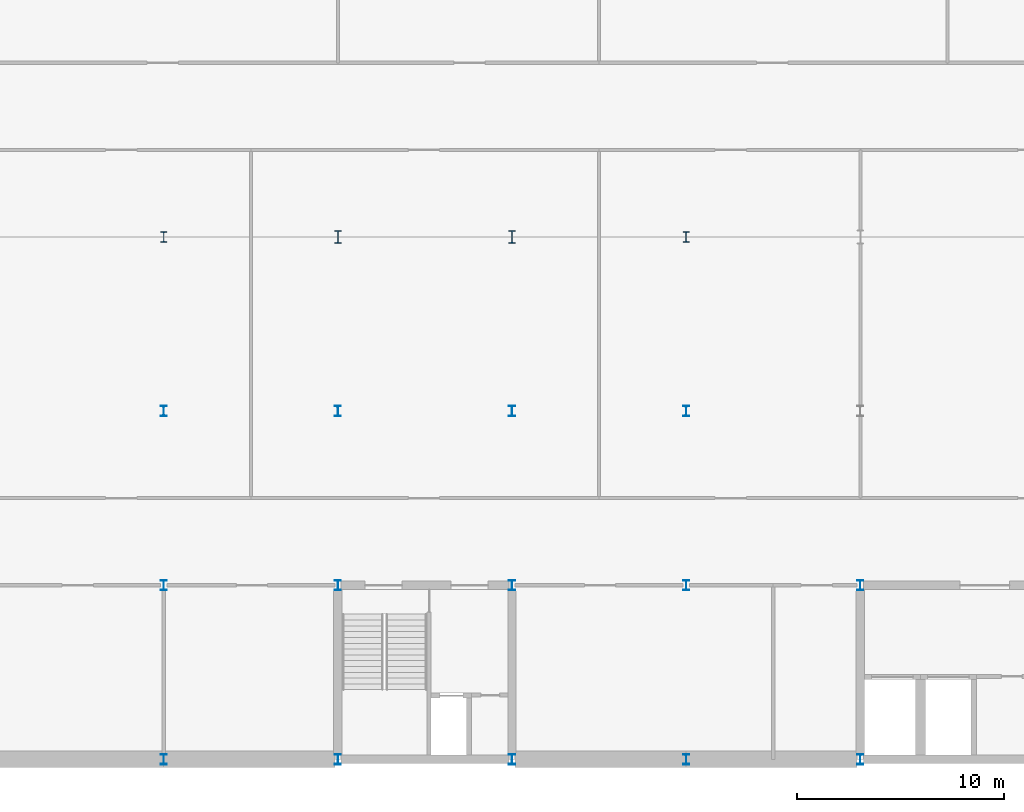
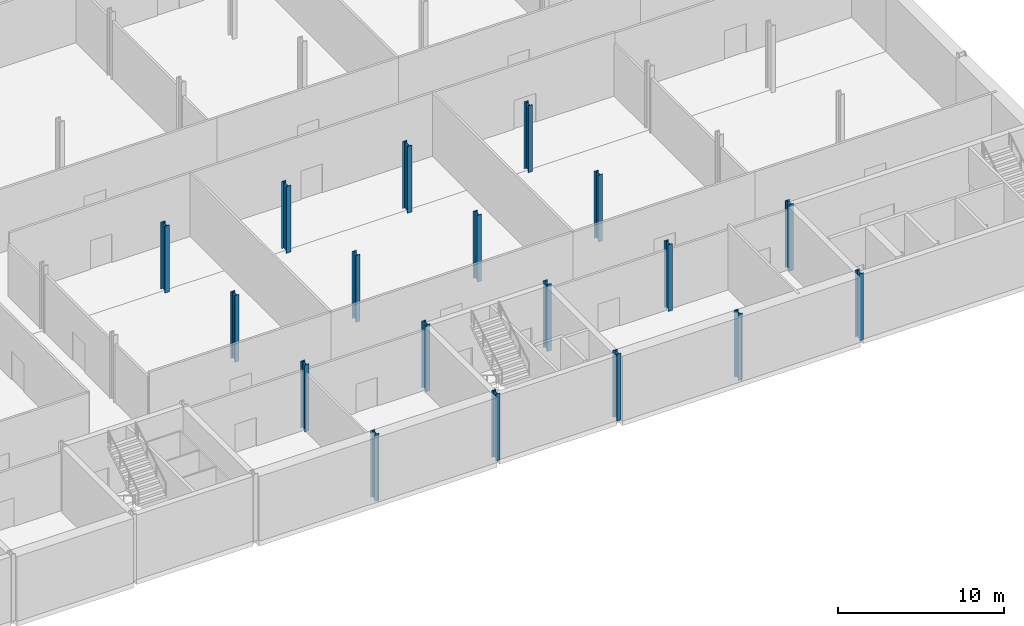
# One storey, part 5 of 20: 18 columns.
"""IFC4 building model written with IfcOpenShell, lengths in metres."""

from ifc_helpers import new_model, si_unit, direction, frame, origin, origin_2d, place, context, subcontext, project, spatial, i_section, extrude, material, material_profile, profile_set, type_object, element, save


model = new_model("IFC4")

# Units and contexts
model_context = context("Model", 3, precision=1e-05, world=origin(), true_north=direction((0.0, 1.0)))
body_context = subcontext(model_context, "Body", "Model", "MODEL_VIEW")
ifc_project = project(units=[si_unit("LENGTHUNIT", "METRE"), si_unit("AREAUNIT", "SQUARE_METRE"), si_unit("VOLUMEUNIT", "CUBIC_METRE"), si_unit("PLANEANGLEUNIT", "RADIAN"), si_unit("MASSUNIT", "GRAM", prefix="KILO")], contexts=[model_context])

# Site, building, storey
site_placement = place(None, origin())
site = spatial("IfcSite", under=ifc_project, at=site_placement, CompositionType="ELEMENT")
building_placement = place(site_placement, origin())
building = spatial("IfcBuilding", under=site, at=building_placement, Name="Galleria Vessillo Department Store", CompositionType="ELEMENT")
storey_placement = place(building_placement, frame((0.0, 0.0, -4.89990234375)))
storey = spatial("IfcBuildingStorey", under=building, at=storey_placement, Name="B1", CompositionType="ELEMENT", Elevation=-4.89990234375)

# Columns
ifc_material_1 = material(Name="Steel S355 J2", Category="steel")
ifc_material_profile_1 = material_profile(ifc_material_1, i_section(OverallWidth=0.300048828125, OverallDepth=0.5, WebThickness=0.014404296875, FlangeThickness=0.028076171875, FilletRadius=0.027099609375, at=origin_2d()), Name="HEB 500")
ifc_profile_set_1 = profile_set([ifc_material_profile_1], Name="Steel S355 J2")
column_type_1 = type_object("IfcColumnType", Name="Steel column HEB 500 CP1", PredefinedType="COLUMN", material=ifc_profile_set_1)
for number, where, z_axis, x_axis, name in (
    (1, (67.199951171875, 0.0, 0.0), (0.0, 0.0, 1.0), (1.0, 0.0, 0.0), "S-COL-B1-9-A"),
    (2, (67.199951171875, 8.39990234375, 0.0), (0.0, 0.0, 1.0), (1.0, 0.0, 0.0), "S-COL-B1-9-B"),
    (3, (67.199951171875, 16.800048828125, 0.0), (0.0, 0.0, 1.0), (1.0, 0.0, 0.0), "S-COL-B1-9-C"),
    (4, (75.60009765625, 0.0, 0.0), (0.0, 0.0, 1.0), (1.0, 0.0, 0.0), "S-COL-B1-10-A"),
    (5, (75.60009765625, 8.39990234375, 0.0), (0.0, 0.0, 1.0), (1.0, 0.0, 0.0), "S-COL-B1-10-B"),
    (6, (75.60009765625, 16.800048828125, 0.0), (0.0, 0.0, 1.0), (1.0, 0.0, 0.0), "S-COL-B1-10-C"),
    (7, (84.0, 0.0, 0.0), (0.0, 0.0, 1.0), (1.0, 0.0, 0.0), "S-COL-B1-11-A"),
    (8, (84.0, 8.39990234375, 0.0), (0.0, 0.0, 1.0), (1.0, 0.0, 0.0), "S-COL-B1-11-B"),
    (9, (84.0, 16.800048828125, 0.0), (0.0, 0.0, 1.0), (1.0, 0.0, 0.0), "S-COL-B1-11-C"),
    (10, (92.39990234375, 0.0, 0.0), (0.0, 0.0, 1.0), (1.0, 0.0, 0.0), "S-COL-B1-12-A"),
    (11, (92.39990234375, 8.39990234375, 0.0), (0.0, 0.0, 1.0), (1.0, 0.0, 0.0), "S-COL-B1-12-B"),
    (12, (92.39990234375, 16.800048828125, 0.0), (0.0, 0.0, 1.0), (1.0, 0.0, 0.0), "S-COL-B1-12-C"),
    (13, (100.800048828125, 0.0, 0.0), (0.0, 0.0, 1.0), (1.0, 0.0, 0.0), "S-COL-B1-13-A"),
    (14, (100.800048828125, 8.39990234375, 0.0), (0.0, 0.0, 1.0), (1.0, 0.0, 0.0), "S-COL-B1-13-B"),
):
    element("IfcColumn", number, at=place(storey_placement, frame(where, z_axis=z_axis, x_axis=x_axis)), inside=storey, type_object=column_type_1, Name=name, PredefinedType="COLUMN", context=body_context, shape_type="SweptSolid", body=[
        extrude(i_section(OverallWidth=0.300048828125, OverallDepth=0.5, WebThickness=0.014404296875, FlangeThickness=0.028076171875, FilletRadius=0.027099609375, at=origin_2d()), origin(), (0.0, 0.0, 1.0), 4.89990234375),
    ])
ifc_material_2 = material(Name="Steel S355 J2", Category="steel")
ifc_material_profile_2 = material_profile(ifc_material_2, i_section(OverallWidth=0.305908203125, OverallDepth=0.52392578125, WebThickness=0.02099609375, FlangeThickness=0.0400390625, FilletRadius=0.027099609375, at=origin_2d()), Name="HEM 500")
ifc_profile_set_2 = profile_set([ifc_material_profile_2], Name="Steel S355 J2")
column_type_2 = type_object("IfcColumnType", Name="Steel column HEM 500 CV1", PredefinedType="COLUMN", material=ifc_profile_set_2)
for number, where, z_axis, x_axis, name in (
    (15, (67.199951171875, 25.199951171875, 0.0), (0.0, 0.0, 1.0), (1.0, 0.0, 0.0), "S-COL-B1-9-D"),
    (16, (92.39990234375, 25.199951171875, 0.0), (0.0, 0.0, 1.0), (1.0, 0.0, 0.0), "S-COL-B1-12-D"),
):
    element("IfcColumn", number, at=place(storey_placement, frame(where, z_axis=z_axis, x_axis=x_axis)), inside=storey, type_object=column_type_2, Name=name, PredefinedType="COLUMN", context=body_context, shape_type="SweptSolid", body=[
        extrude(i_section(OverallWidth=0.305908203125, OverallDepth=0.52392578125, WebThickness=0.02099609375, FlangeThickness=0.0400390625, FilletRadius=0.027099609375, at=origin_2d()), origin(), (0.0, 0.0, 1.0), 4.89990234375),
    ])
ifc_material_3 = material(Name="Steel S355 J2", Category="steel")
ifc_material_profile_3 = material_profile(ifc_material_3, i_section(OverallWidth=0.304931640625, OverallDepth=0.6201171875, WebThickness=0.02099609375, FlangeThickness=0.0400390625, FilletRadius=0.027099609375, at=origin_2d()), Name="HEM 600")
ifc_profile_set_3 = profile_set([ifc_material_profile_3], Name="Steel S355 J2")
column_type_3 = type_object("IfcColumnType", Name="Steel column HEM 600 CV2", PredefinedType="COLUMN", material=ifc_profile_set_3)
for number, where, z_axis, x_axis, name in (
    (17, (75.60009765625, 25.199951171875, 0.0), (0.0, 0.0, 1.0), (1.0, 0.0, 0.0), "S-COL-B1-10-D"),
    (18, (84.0, 25.199951171875, 0.0), (0.0, 0.0, 1.0), (1.0, 0.0, 0.0), "S-COL-B1-11-D"),
):
    element("IfcColumn", number, at=place(storey_placement, frame(where, z_axis=z_axis, x_axis=x_axis)), inside=storey, type_object=column_type_3, Name=name, PredefinedType="COLUMN", context=body_context, shape_type="SweptSolid", body=[
        extrude(i_section(OverallWidth=0.304931640625, OverallDepth=0.6201171875, WebThickness=0.02099609375, FlangeThickness=0.0400390625, FilletRadius=0.027099609375, at=origin_2d()), origin(), (0.0, 0.0, 1.0), 4.89990234375),
    ])

save(model, "model.ifc")
